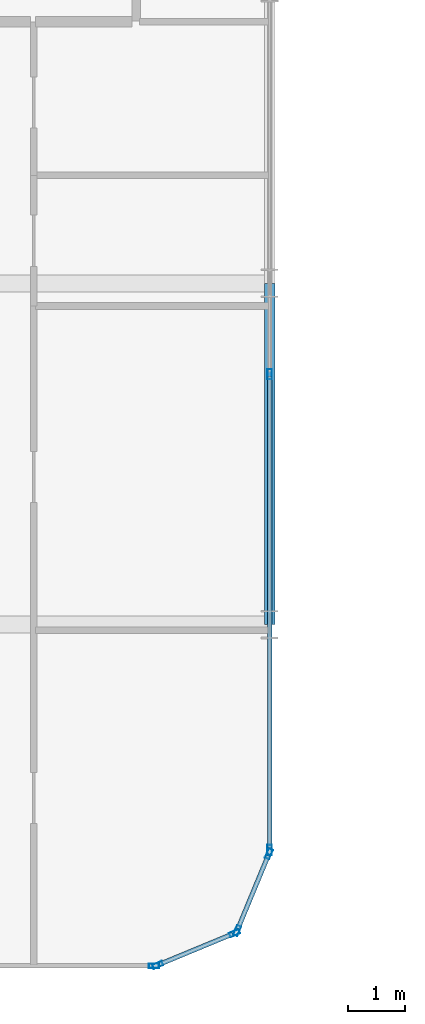
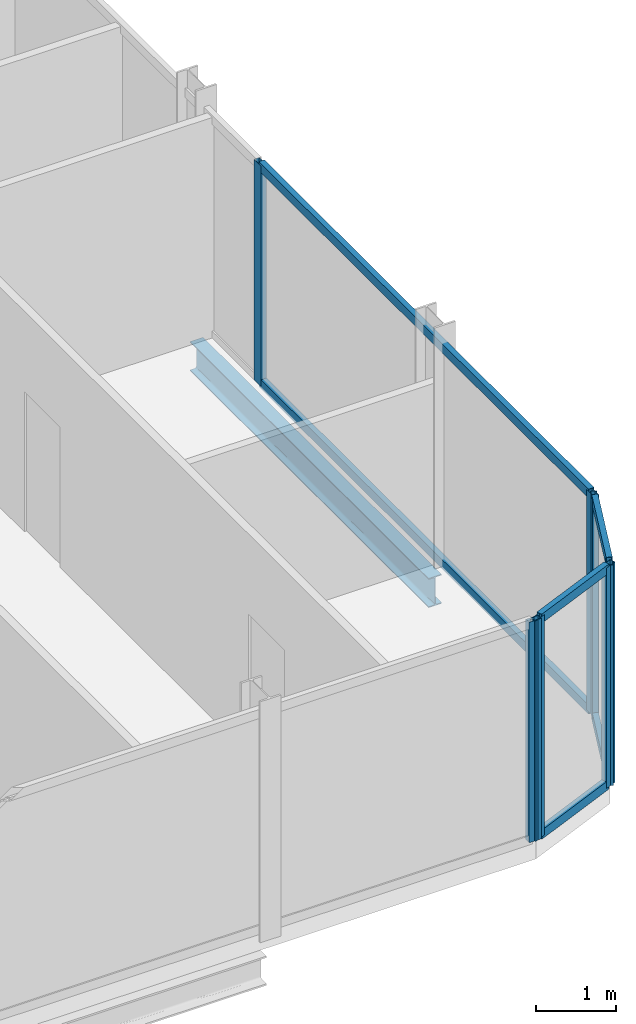
# One storey, part 11 of 31: 13 members, 1 beam, 4 elements without a shape of their own.
"""IFC4 building model written with IfcOpenShell, lengths in metres."""

import ifcopenshell
import ifcopenshell.guid

model = None  # the IFC model being written
_history = None  # IfcOwnerHistory: only IFC2X3 demands one
_inside = {}  # id of a spatial element -> (the spatial element, [elements in it])
_under = {}  # id of a project, library or spatial element -> (it, [spatial elements below it])
_declared = {}  # id of a project -> (the project, [libraries it declares])
_typed = {}  # id of a type object -> (the type object, [elements of that type])
_made_of = {}  # id of a material, layer set ... -> (it, [elements and type objects made of it])


def new_model(schema):
    """Start an empty IFC model of exactly this schema.

    Asked for "IFC4X3", IfcOpenShell would pick the latest addendum, in which some entities
    have other attributes; the version numbers below select the first issue.
    IFC2X3 requires an IfcOwnerHistory on every rooted entity: one is made here for all.
    """
    global model, _history
    if schema == "IFC4X3":
        model = ifcopenshell.file(schema_version=(4, 3, 0, 0))
    else:
        model = ifcopenshell.file(schema=schema)
    _inside.clear()
    _under.clear()
    _declared.clear()
    _typed.clear()
    _made_of.clear()
    _history = None
    if model.schema == "IFC2X3":
        org = make("IfcOrganization", Name="unknown")
        user = make(
            "IfcPersonAndOrganization",
            ThePerson=make("IfcPerson", FamilyName="unknown"),
            TheOrganization=org,
        )
        app = make(
            "IfcApplication",
            ApplicationDeveloper=org,
            Version="unknown",
            ApplicationFullName="unknown",
            ApplicationIdentifier="unknown",
        )
        _history = make(
            "IfcOwnerHistory",
            OwningUser=user,
            OwningApplication=app,
            ChangeAction="ADDED",
            CreationDate=0,
        )
    return model


def make(cls, **values):
    """One entity of the class cls with the attributes given. An attribute that is None is left unset."""
    return model.create_entity(
        cls, **{name: value for name, value in values.items() if value is not None}
    )


def rooted(cls, **values):
    """An entity with a GlobalId (a new one), such as an element, a storey or a relation."""
    return make(cls, GlobalId=ifcopenshell.guid.new(), OwnerHistory=_history, **values)


def si_unit(unit_type, name, prefix=None):
    """IfcSIUnit, for example si_unit("LENGTHUNIT", "METRE", prefix="MILLI")."""
    return make("IfcSIUnit", UnitType=unit_type, Prefix=prefix, Name=name)


def assignment(units):
    """IfcUnitAssignment: the units of a project."""
    return None if units is None else make("IfcUnitAssignment", Units=units)


def point(xyz):
    """IfcCartesianPoint."""
    return None if xyz is None else make("IfcCartesianPoint", Coordinates=xyz)


def direction(xyz):
    """IfcDirection."""
    return None if xyz is None else make("IfcDirection", DirectionRatios=xyz)


def frame(location, z_axis=None, x_axis=None):
    """IfcAxis2Placement3D, a coordinate frame: its origin and axes. An axis left out is left unset."""
    return make(
        "IfcAxis2Placement3D",
        Location=point(location),
        Axis=direction(z_axis),
        RefDirection=direction(x_axis),
    )


def frame_2d(location, x_axis=None):
    """IfcAxis2Placement2D, a coordinate frame in the plane: its origin and x axis."""
    return make(
        "IfcAxis2Placement2D", Location=point(location), RefDirection=direction(x_axis)
    )


def origin():
    """The frame at (0, 0, 0) with its axes left unset."""
    return frame((0.0, 0.0, 0.0))


def origin_2d():
    """The frame at (0, 0) in the plane with its x axis left unset."""
    return frame_2d((0.0, 0.0))


def place(relative_to, where):
    """IfcLocalPlacement: puts the frame where relative to a parent placement (None: the world)."""
    return make(
        "IfcLocalPlacement", PlacementRelTo=relative_to, RelativePlacement=where
    )


def context(
    kind, dimensions, precision=None, world=None, true_north=None, identifier=None
):
    """IfcGeometricRepresentationContext, for example the 3D "Model" context."""
    return make(
        "IfcGeometricRepresentationContext",
        ContextIdentifier=identifier,
        ContextType=kind,
        CoordinateSpaceDimension=dimensions,
        Precision=precision,
        WorldCoordinateSystem=world,
        TrueNorth=true_north,
    )


def subcontext(parent, identifier, kind, view, scale=None):
    """IfcGeometricRepresentationSubContext, for example "Body" below "Model"."""
    return make(
        "IfcGeometricRepresentationSubContext",
        ContextIdentifier=identifier,
        ContextType=kind,
        ParentContext=parent,
        TargetScale=scale,
        TargetView=view,
    )


def project(units=None, contexts=None):
    """IfcProject with its units and contexts."""
    return rooted(
        "IfcProject",
        Name="project",
        RepresentationContexts=contexts,
        UnitsInContext=assignment(units),
    )


def spatial(cls, under=None, at=None, **own):
    """A site, building, storey or space (cls), placed at a placement, below another one or the project."""
    s = rooted(cls, ObjectPlacement=at, **own)
    if under is not None:
        _under.setdefault(under.id(), (under, []))[1].append(s)
    return s


def profile(cls, at=None, kind="AREA", **sizes):
    """A parametric profile (cls). Its sizes go by their IFC names, for example OverallWidth=200.0."""
    return make(cls, ProfileType=kind, Position=at, **sizes)


def hollow_rectangle(**sizes):
    """IfcRectangleHollowProfileDef."""
    return profile("IfcRectangleHollowProfileDef", **sizes)


def i_section(**sizes):
    """IfcIShapeProfileDef."""
    return profile("IfcIShapeProfileDef", **sizes)


def extrude(swept, where, along, depth):
    """IfcExtrudedAreaSolid: the profile swept, set in the frame where, extruded along a direction by depth."""
    return make(
        "IfcExtrudedAreaSolid",
        SweptArea=swept,
        Position=where,
        ExtrudedDirection=direction(along),
        Depth=depth,
    )


def shape(context_of_items, identifier, shape_type, items):
    """IfcShapeRepresentation: the items that make up one representation, for example the "Body"."""
    return make(
        "IfcShapeRepresentation",
        ContextOfItems=context_of_items,
        RepresentationIdentifier=identifier,
        RepresentationType=shape_type,
        Items=items,
    )


def material(Name=None, Category=None):
    """IfcMaterial."""
    return make("IfcMaterial", Name=Name, Category=Category)


def layer(
    of_material, thickness, ventilated=None, Name=None, Category=None, Priority=None
):
    """IfcMaterialLayer: one layer of a wall or slab, of a material (None: an air gap)."""
    return make(
        "IfcMaterialLayer",
        Material=of_material,
        LayerThickness=thickness,
        IsVentilated=ventilated,
        Name=Name,
        Category=Category,
        Priority=Priority,
    )


def layer_set(layers, Name=None):
    """IfcMaterialLayerSet."""
    return make("IfcMaterialLayerSet", MaterialLayers=layers, LayerSetName=Name)


def material_profile(
    of_material, cross_section, Name=None, Category=None, Priority=None
):
    """IfcMaterialProfile: a cross section and its material."""
    return make(
        "IfcMaterialProfile",
        Name=Name,
        Material=of_material,
        Profile=cross_section,
        Priority=Priority,
        Category=Category,
    )


def profile_set(profiles, Name=None, composite=None):
    """IfcMaterialProfileSet."""
    return make(
        "IfcMaterialProfileSet",
        Name=Name,
        MaterialProfiles=profiles,
        CompositeProfile=composite,
    )


def made_of(thing, what):
    """Note that an element or type object is made of a material, layer set ...; save() writes the relation."""
    if what is not None:
        _made_of.setdefault(what.id(), (what, []))[1].append(thing)
    return thing


def type_object(cls, material=None, **own):
    """A type object (cls), such as IfcWallType, which elements share."""
    return made_of(rooted(cls, **own), material)


def element(
    cls,
    number,
    at=None,
    inside=None,
    cuts=None,
    type_object=None,
    material=None,
    context=None,
    identifier="Body",
    shape_type=None,
    held_by="IfcProductDefinitionShape",
    body=None,
    shapes=None,
    **own,
):
    """One element of the class cls, such as IfcWall. Its Tag is "e" and its number.

    at: its placement. inside: the storey or other place that contains it. cuts: it is an
    opening in that element (IfcRelVoidsElement). A single representation is given by context,
    identifier, shape_type and body (its items); several are given by shapes. held_by: the class
    of the entity that holds the representations. save() writes the other relations.
    """
    e = rooted(cls, Tag="e%d" % number, ObjectPlacement=at, **own)
    if body is not None:
        shapes = [shape(context, identifier, shape_type, body)]
    if shapes is not None:
        e.Representation = make(held_by, Representations=shapes)
    if inside is not None:
        _inside.setdefault(inside.id(), (inside, []))[1].append(e)
    if cuts is not None:
        rooted(
            "IfcRelVoidsElement", RelatingBuildingElement=cuts, RelatedOpeningElement=e
        )
    if type_object is not None:
        _typed.setdefault(type_object.id(), (type_object, []))[1].append(e)
    return made_of(e, material)


def aggregate(whole, parts):
    """IfcRelAggregates: a whole, such as a stair, and the parts it consists of."""
    return rooted("IfcRelAggregates", RelatingObject=whole, RelatedObjects=parts)


def save(model, path):
    """Write the relations noted so far, then the file.

    IfcRelAggregates (storeys below a building ...), IfcRelContainedInSpatialStructure (elements
    in a storey), IfcRelDefinesByType, IfcRelAssociatesMaterial and IfcRelDeclares: one each for
    every whole, place, type object, material and project.
    """
    for whole, parts in _under.values():
        aggregate(whole, parts)
    for where, things in _inside.values():
        rooted(
            "IfcRelContainedInSpatialStructure",
            RelatedElements=things,
            RelatingStructure=where,
        )
    for kind, things in _typed.values():
        rooted("IfcRelDefinesByType", RelatedObjects=things, RelatingType=kind)
    for what, things in _made_of.values():
        rooted("IfcRelAssociatesMaterial", RelatedObjects=things, RelatingMaterial=what)
    for by, libraries in _declared.values():
        rooted("IfcRelDeclares", RelatingContext=by, RelatedDefinitions=libraries)
    model.write(path)


model = new_model("IFC4")

# Units and contexts
model_context = context("Model", 3, precision=1e-05, world=origin(), true_north=direction((0.0, 1.0)))
body_context = subcontext(model_context, "Body", "Model", "MODEL_VIEW")
ifc_project = project(units=[si_unit("LENGTHUNIT", "METRE"), si_unit("AREAUNIT", "SQUARE_METRE"), si_unit("VOLUMEUNIT", "CUBIC_METRE"), si_unit("PLANEANGLEUNIT", "RADIAN"), si_unit("MASSUNIT", "GRAM", prefix="KILO")], contexts=[model_context])

# Site, building, storey
site_placement = place(None, origin())
site = spatial("IfcSite", under=ifc_project, at=site_placement, CompositionType="ELEMENT")
building_placement = place(site_placement, origin())
building = spatial("IfcBuilding", under=site, at=building_placement, Name="Keshet Zoharim Tower", CompositionType="ELEMENT")
storey_placement = place(building_placement, frame((0.0, 0.0, 129.800048828125)))
storey = spatial("IfcBuildingStorey", under=building, at=storey_placement, Name="L31", CompositionType="ELEMENT", Elevation=129.800048828125)

# Beam
ifc_material_1 = material(Name="Steel S355", Category="steel")
ifc_material_profile_1 = material_profile(ifc_material_1, i_section(OverallWidth=0.18994140625, OverallDepth=0.449951171875, WebThickness=0.009521484375, FlangeThickness=0.0146484375, FilletRadius=0.02099609375, at=origin_2d()), Name="IPE450")
ifc_profile_set_1 = profile_set([ifc_material_profile_1], Name="Steel S355")
beam_type = type_object("IfcBeamType", Name="BM-PRI-IP450", PredefinedType="BEAM", material=ifc_profile_set_1)
beam_placement = place(storey_placement, frame((57.0, 6.699951171875, -0.5400390625), z_axis=(0.0, 1.0, 0.0), x_axis=(-1.0, 0.0, 0.0)))
element("IfcBeam", 1, at=beam_placement, inside=storey, type_object=beam_type, Name="L31 Primary Girder Y-013", PredefinedType="BEAM", context=body_context, shape_type="SweptSolid", body=[
    extrude(i_section(OverallWidth=0.18994140625, OverallDepth=0.449951171875, WebThickness=0.009521484375, FlangeThickness=0.0146484375, FilletRadius=0.02099609375, at=origin_2d()), origin(), (0.0, 0.0, 1.0), 6.0),
])

# Curtain wall, members
ifc_material_2 = material(Name="Aluminium 6063-T6", Category="aluminium")
ifc_layer = layer(ifc_material_2, 0.159912109375)
ifc_layer_set = layer_set([ifc_layer], Name="Aluminium 6063-T6")
curtain_wall_type = type_object("IfcCurtainWallType", Name="CW-SYS-03", PredefinedType="NOTDEFINED", material=ifc_layer_set)
curtain_wall_1_placement = place(storey_placement, origin())
curtain_wall_1 = element("IfcCurtainWall", 2, at=curtain_wall_1_placement, inside=storey, type_object=curtain_wall_type, Name="L31 Unitised Curtain Wall 01", PredefinedType="NOTDEFINED")
ifc_material_profile_2 = material_profile(ifc_material_2, hollow_rectangle(XDim=0.080078125, YDim=0.179931640625, WallThickness=0.00439453125, at=origin_2d()), Name="MUL-80x180")
ifc_profile_set_2 = profile_set([ifc_material_profile_2], Name="Aluminium 6063-T6")
member_type_1 = type_object("IfcMemberType", Name="CWM-M18", PredefinedType="MULLION", material=ifc_profile_set_2)
member_1_placement = place(storey_placement, frame((56.986572265625, 2.667724609375, 0.0), z_axis=(0.0, 0.0, 1.0), x_axis=(0.92380975372, -0.382851849847, 0.0)))
member_1 = element("IfcMember", 3, at=member_1_placement, type_object=member_type_1, Name="CW-03 mullion 1", PredefinedType="MULLION", context=body_context, shape_type="SweptSolid", body=[
    extrude(hollow_rectangle(XDim=0.080078125, YDim=0.179931640625, WallThickness=0.00439453125, at=origin_2d()), origin(), (0.0, 0.0, 1.0), 3.385009765625),
])
member_2_placement = place(storey_placement, frame((56.427490234375, 1.318359375, 0.0), z_axis=(0.0, 0.0, 1.0), x_axis=(0.92380975372, -0.382851849847, 0.0)))
member_2 = element("IfcMember", 4, at=member_2_placement, type_object=member_type_1, Name="CW-03 mullion 2", PredefinedType="MULLION", context=body_context, shape_type="SweptSolid", body=[
    extrude(hollow_rectangle(XDim=0.080078125, YDim=0.179931640625, WallThickness=0.00439453125, at=origin_2d()), origin(), (0.0, 0.0, 1.0), 3.385009765625),
])

curtain_wall_2_placement = place(storey_placement, origin())
curtain_wall_2 = element("IfcCurtainWall", 5, at=curtain_wall_2_placement, inside=storey, type_object=curtain_wall_type, Name="L31 Unitised Curtain Wall 02", PredefinedType="NOTDEFINED")
member_3_placement = place(storey_placement, frame((56.381591796875, 1.272705078125, 0.0), z_axis=(0.0, 0.0, 1.0), x_axis=(0.382851849847, -0.92380975372, 0.0)))
member_3 = element("IfcMember", 6, at=member_3_placement, type_object=member_type_1, Name="CW-03 mullion 1", PredefinedType="MULLION", context=body_context, shape_type="SweptSolid", body=[
    extrude(hollow_rectangle(XDim=0.080078125, YDim=0.179931640625, WallThickness=0.00439453125, at=origin_2d()), origin(), (0.0, 0.0, 1.0), 3.385009765625),
])
member_4_placement = place(storey_placement, frame((55.0322265625, 0.71337890625, 0.0), z_axis=(0.0, 0.0, 1.0), x_axis=(0.382851849847, -0.92380975372, 0.0)))
member_4 = element("IfcMember", 7, at=member_4_placement, type_object=member_type_1, Name="CW-03 mullion 2", PredefinedType="MULLION", context=body_context, shape_type="SweptSolid", body=[
    extrude(hollow_rectangle(XDim=0.080078125, YDim=0.179931640625, WallThickness=0.00439453125, at=origin_2d()), origin(), (0.0, 0.0, 1.0), 3.385009765625),
])

# Curtain wall, member
curtain_wall_3_placement = place(storey_placement, origin())
curtain_wall_3 = element("IfcCurtainWall", 8, at=curtain_wall_3_placement, inside=storey, type_object=curtain_wall_type, Name="L31 Unitised Curtain Wall 03", PredefinedType="NOTDEFINED")
member_5_placement = place(storey_placement, frame((54.965087890625, 0.699951171875, 0.0), z_axis=(0.0, 0.0, 1.0), x_axis=(0.0, -1.0, 0.0)))
member_5 = element("IfcMember", 9, at=member_5_placement, type_object=member_type_1, Name="CW-03 mullion 1", PredefinedType="MULLION", context=body_context, shape_type="SweptSolid", body=[
    extrude(hollow_rectangle(XDim=0.080078125, YDim=0.179931640625, WallThickness=0.00439453125, at=origin_2d()), origin(), (0.0, 0.0, 1.0), 3.385009765625),
])
aggregate(curtain_wall_3, [member_5])

# Curtain wall, members
curtain_wall_4_placement = place(storey_placement, origin())
curtain_wall_4 = element("IfcCurtainWall", 10, at=curtain_wall_4_placement, inside=storey, type_object=curtain_wall_type, Name="L31 Unitised Curtain Wall 19", PredefinedType="NOTDEFINED")
member_6_placement = place(storey_placement, frame((57.0, 11.10009765625, 0.0), z_axis=(0.0, 0.0, 1.0), x_axis=(1.0, 0.0, 0.0)))
member_6 = element("IfcMember", 11, at=member_6_placement, type_object=member_type_1, Name="CW-03 mullion 3", PredefinedType="MULLION", context=body_context, shape_type="SweptSolid", body=[
    extrude(hollow_rectangle(XDim=0.080078125, YDim=0.179931640625, WallThickness=0.00439453125, at=origin_2d()), origin(), (0.0, 0.0, 1.0), 3.385009765625),
])
member_7_placement = place(storey_placement, frame((57.0, 2.735107421875, 0.0), z_axis=(0.0, 0.0, 1.0), x_axis=(1.0, 0.0, 0.0)))
member_7 = element("IfcMember", 12, at=member_7_placement, type_object=member_type_1, Name="CW-03 mullion 4", PredefinedType="MULLION", context=body_context, shape_type="SweptSolid", body=[
    extrude(hollow_rectangle(XDim=0.080078125, YDim=0.179931640625, WallThickness=0.00439453125, at=origin_2d()), origin(), (0.0, 0.0, 1.0), 3.385009765625),
])

# Member
ifc_material_profile_3 = material_profile(ifc_material_2, hollow_rectangle(XDim=0.080078125, YDim=0.139892578125, WallThickness=0.00390625, at=origin_2d()), Name="TRN-80x140")
ifc_profile_set_3 = profile_set([ifc_material_profile_3], Name="Aluminium 6063-T6")
member_type_2 = type_object("IfcMemberType", Name="CWT-T14", PredefinedType="USERDEFINED", material=ifc_profile_set_3)
member_8_placement = place(storey_placement, frame((56.97314453125, 2.63525390625, 0.034912109375), z_axis=(-0.382744609247, -0.923854189844, 0.0), x_axis=(0.923854189844, -0.382744609247, 0.0)))
member_8 = element("IfcMember", 13, at=member_8_placement, type_object=member_type_2, Name="CW-03 transom 1.1", ObjectType="TRANSOM", PredefinedType="USERDEFINED", context=body_context, shape_type="SweptSolid", body=[
    extrude(hollow_rectangle(XDim=0.080078125, YDim=0.139892578125, WallThickness=0.00390625, at=origin_2d()), origin(), (0.0, 0.0, 1.0), 1.390625),
])

member_9_placement = place(storey_placement, frame((56.97314453125, 2.63525390625, 3.349853515625), z_axis=(-0.382744609247, -0.923854189844, 0.0), x_axis=(0.923854189844, -0.382744609247, 0.0)))
member_9 = element("IfcMember", 14, at=member_9_placement, type_object=member_type_2, Name="CW-03 transom 1.2", ObjectType="TRANSOM", PredefinedType="USERDEFINED", context=body_context, shape_type="SweptSolid", body=[
    extrude(hollow_rectangle(XDim=0.080078125, YDim=0.139892578125, WallThickness=0.00390625, at=origin_2d()), origin(), (0.0, 0.0, 1.0), 1.390625),
])

aggregate(curtain_wall_1, [member_1, member_2, member_8, member_9])

member_10_placement = place(storey_placement, frame((56.349365234375, 1.25927734375, 0.034912109375), z_axis=(-0.92379209995, -0.382894445076, 0.0), x_axis=(0.382894445076, -0.92379209995, 0.0)))
member_10 = element("IfcMember", 15, at=member_10_placement, type_object=member_type_2, Name="CW-03 transom 1.1", ObjectType="TRANSOM", PredefinedType="USERDEFINED", context=body_context, shape_type="SweptSolid", body=[
    extrude(hollow_rectangle(XDim=0.080078125, YDim=0.139892578125, WallThickness=0.00390625, at=origin_2d()), origin(), (0.0, 0.0, 1.0), 1.390625),
])

member_11_placement = place(storey_placement, frame((56.349365234375, 1.25927734375, 3.349853515625), z_axis=(-0.92379209995, -0.382894445076, 0.0), x_axis=(0.382894445076, -0.92379209995, 0.0)))
member_11 = element("IfcMember", 16, at=member_11_placement, type_object=member_type_2, Name="CW-03 transom 1.2", ObjectType="TRANSOM", PredefinedType="USERDEFINED", context=body_context, shape_type="SweptSolid", body=[
    extrude(hollow_rectangle(XDim=0.080078125, YDim=0.139892578125, WallThickness=0.00390625, at=origin_2d()), origin(), (0.0, 0.0, 1.0), 1.390625),
])

aggregate(curtain_wall_2, [member_3, member_4, member_10, member_11])

member_12_placement = place(storey_placement, frame((57.0, 11.06494140625, 0.034912109375), z_axis=(0.0, -1.0, 0.0), x_axis=(1.0, 0.0, 0.0)))
member_12 = element("IfcMember", 17, at=member_12_placement, type_object=member_type_2, Name="CW-03 transom 3.1", ObjectType="TRANSOM", PredefinedType="USERDEFINED", context=body_context, shape_type="SweptSolid", body=[
    extrude(hollow_rectangle(XDim=0.080078125, YDim=0.139892578125, WallThickness=0.00390625, at=origin_2d()), origin(), (0.0, 0.0, 1.0), 8.294921875),
])

member_13_placement = place(storey_placement, frame((57.0, 11.06494140625, 3.349853515625), z_axis=(0.0, -1.0, 0.0), x_axis=(1.0, 0.0, 0.0)))
member_13 = element("IfcMember", 18, at=member_13_placement, type_object=member_type_2, Name="CW-03 transom 3.2", ObjectType="TRANSOM", PredefinedType="USERDEFINED", context=body_context, shape_type="SweptSolid", body=[
    extrude(hollow_rectangle(XDim=0.080078125, YDim=0.139892578125, WallThickness=0.00390625, at=origin_2d()), origin(), (0.0, 0.0, 1.0), 8.294921875),
])

aggregate(curtain_wall_4, [member_6, member_7, member_12, member_13])

save(model, "model.ifc")
